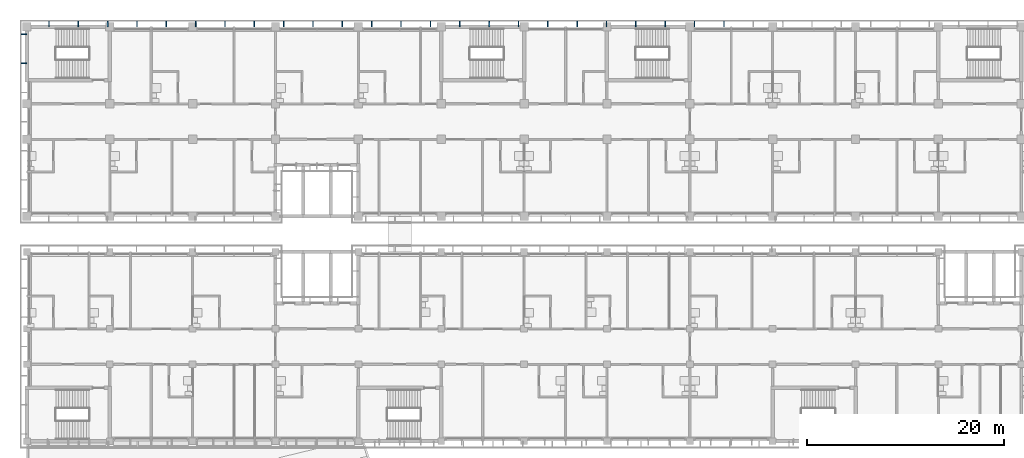
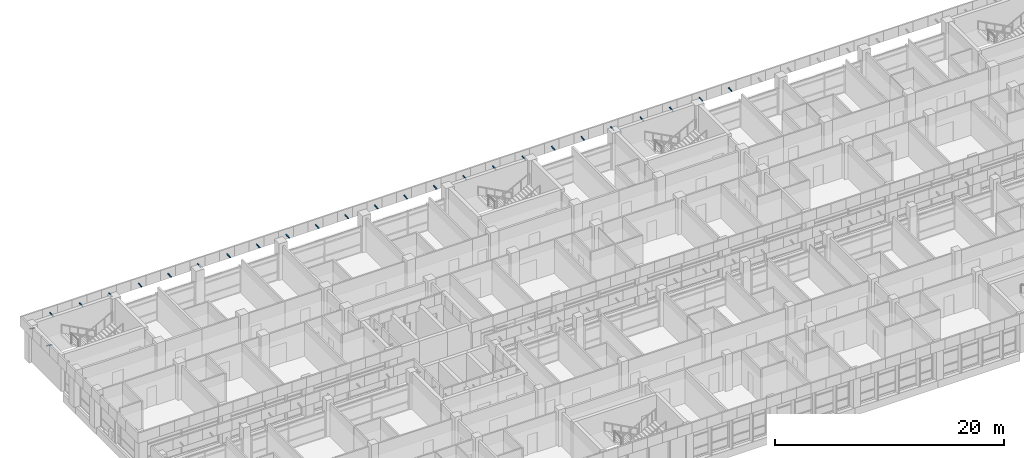
# One storey, part 60 of 74: 26 discrete accessories.
"""IFC4 building model written with IfcOpenShell, lengths in metres."""

import ifcopenshell
import ifcopenshell.guid

model = None  # the IFC model being written
_history = None  # IfcOwnerHistory: only IFC2X3 demands one
_inside = {}  # id of a spatial element -> (the spatial element, [elements in it])
_under = {}  # id of a project, library or spatial element -> (it, [spatial elements below it])
_declared = {}  # id of a project -> (the project, [libraries it declares])
_typed = {}  # id of a type object -> (the type object, [elements of that type])
_made_of = {}  # id of a material, layer set ... -> (it, [elements and type objects made of it])


def new_model(schema):
    """Start an empty IFC model of exactly this schema.

    Asked for "IFC4X3", IfcOpenShell would pick the latest addendum, in which some entities
    have other attributes; the version numbers below select the first issue.
    IFC2X3 requires an IfcOwnerHistory on every rooted entity: one is made here for all.
    """
    global model, _history
    if schema == "IFC4X3":
        model = ifcopenshell.file(schema_version=(4, 3, 0, 0))
    else:
        model = ifcopenshell.file(schema=schema)
    _inside.clear()
    _under.clear()
    _declared.clear()
    _typed.clear()
    _made_of.clear()
    _history = None
    if model.schema == "IFC2X3":
        org = make("IfcOrganization", Name="unknown")
        user = make(
            "IfcPersonAndOrganization",
            ThePerson=make("IfcPerson", FamilyName="unknown"),
            TheOrganization=org,
        )
        app = make(
            "IfcApplication",
            ApplicationDeveloper=org,
            Version="unknown",
            ApplicationFullName="unknown",
            ApplicationIdentifier="unknown",
        )
        _history = make(
            "IfcOwnerHistory",
            OwningUser=user,
            OwningApplication=app,
            ChangeAction="ADDED",
            CreationDate=0,
        )
    return model


def make(cls, **values):
    """One entity of the class cls with the attributes given. An attribute that is None is left unset."""
    return model.create_entity(
        cls, **{name: value for name, value in values.items() if value is not None}
    )


def rooted(cls, **values):
    """An entity with a GlobalId (a new one), such as an element, a storey or a relation."""
    return make(cls, GlobalId=ifcopenshell.guid.new(), OwnerHistory=_history, **values)


def si_unit(unit_type, name, prefix=None):
    """IfcSIUnit, for example si_unit("LENGTHUNIT", "METRE", prefix="MILLI")."""
    return make("IfcSIUnit", UnitType=unit_type, Prefix=prefix, Name=name)


def assignment(units):
    """IfcUnitAssignment: the units of a project."""
    return None if units is None else make("IfcUnitAssignment", Units=units)


def point(xyz):
    """IfcCartesianPoint."""
    return None if xyz is None else make("IfcCartesianPoint", Coordinates=xyz)


def direction(xyz):
    """IfcDirection."""
    return None if xyz is None else make("IfcDirection", DirectionRatios=xyz)


def frame(location, z_axis=None, x_axis=None):
    """IfcAxis2Placement3D, a coordinate frame: its origin and axes. An axis left out is left unset."""
    return make(
        "IfcAxis2Placement3D",
        Location=point(location),
        Axis=direction(z_axis),
        RefDirection=direction(x_axis),
    )


def frame_2d(location, x_axis=None):
    """IfcAxis2Placement2D, a coordinate frame in the plane: its origin and x axis."""
    return make(
        "IfcAxis2Placement2D", Location=point(location), RefDirection=direction(x_axis)
    )


def origin():
    """The frame at (0, 0, 0) with its axes left unset."""
    return frame((0.0, 0.0, 0.0))


def origin_2d():
    """The frame at (0, 0) in the plane with its x axis left unset."""
    return frame_2d((0.0, 0.0))


def place(relative_to, where):
    """IfcLocalPlacement: puts the frame where relative to a parent placement (None: the world)."""
    return make(
        "IfcLocalPlacement", PlacementRelTo=relative_to, RelativePlacement=where
    )


def context(
    kind, dimensions, precision=None, world=None, true_north=None, identifier=None
):
    """IfcGeometricRepresentationContext, for example the 3D "Model" context."""
    return make(
        "IfcGeometricRepresentationContext",
        ContextIdentifier=identifier,
        ContextType=kind,
        CoordinateSpaceDimension=dimensions,
        Precision=precision,
        WorldCoordinateSystem=world,
        TrueNorth=true_north,
    )


def subcontext(parent, identifier, kind, view, scale=None):
    """IfcGeometricRepresentationSubContext, for example "Body" below "Model"."""
    return make(
        "IfcGeometricRepresentationSubContext",
        ContextIdentifier=identifier,
        ContextType=kind,
        ParentContext=parent,
        TargetScale=scale,
        TargetView=view,
    )


def project(units=None, contexts=None):
    """IfcProject with its units and contexts."""
    return rooted(
        "IfcProject",
        Name="project",
        RepresentationContexts=contexts,
        UnitsInContext=assignment(units),
    )


def spatial(cls, under=None, at=None, **own):
    """A site, building, storey or space (cls), placed at a placement, below another one or the project."""
    s = rooted(cls, ObjectPlacement=at, **own)
    if under is not None:
        _under.setdefault(under.id(), (under, []))[1].append(s)
    return s


def profile(cls, at=None, kind="AREA", **sizes):
    """A parametric profile (cls). Its sizes go by their IFC names, for example OverallWidth=200.0."""
    return make(cls, ProfileType=kind, Position=at, **sizes)


def rectangle(**sizes):
    """IfcRectangleProfileDef."""
    return profile("IfcRectangleProfileDef", **sizes)


def extrude(swept, where, along, depth):
    """IfcExtrudedAreaSolid: the profile swept, set in the frame where, extruded along a direction by depth."""
    return make(
        "IfcExtrudedAreaSolid",
        SweptArea=swept,
        Position=where,
        ExtrudedDirection=direction(along),
        Depth=depth,
    )


def shape(context_of_items, identifier, shape_type, items):
    """IfcShapeRepresentation: the items that make up one representation, for example the "Body"."""
    return make(
        "IfcShapeRepresentation",
        ContextOfItems=context_of_items,
        RepresentationIdentifier=identifier,
        RepresentationType=shape_type,
        Items=items,
    )


def material(Name=None, Category=None):
    """IfcMaterial."""
    return make("IfcMaterial", Name=Name, Category=Category)


def material_profile(
    of_material, cross_section, Name=None, Category=None, Priority=None
):
    """IfcMaterialProfile: a cross section and its material."""
    return make(
        "IfcMaterialProfile",
        Name=Name,
        Material=of_material,
        Profile=cross_section,
        Priority=Priority,
        Category=Category,
    )


def profile_set(profiles, Name=None, composite=None):
    """IfcMaterialProfileSet."""
    return make(
        "IfcMaterialProfileSet",
        Name=Name,
        MaterialProfiles=profiles,
        CompositeProfile=composite,
    )


def made_of(thing, what):
    """Note that an element or type object is made of a material, layer set ...; save() writes the relation."""
    if what is not None:
        _made_of.setdefault(what.id(), (what, []))[1].append(thing)
    return thing


def type_object(cls, material=None, **own):
    """A type object (cls), such as IfcWallType, which elements share."""
    return made_of(rooted(cls, **own), material)


def element(
    cls,
    number,
    at=None,
    inside=None,
    cuts=None,
    type_object=None,
    material=None,
    context=None,
    identifier="Body",
    shape_type=None,
    held_by="IfcProductDefinitionShape",
    body=None,
    shapes=None,
    **own,
):
    """One element of the class cls, such as IfcWall. Its Tag is "e" and its number.

    at: its placement. inside: the storey or other place that contains it. cuts: it is an
    opening in that element (IfcRelVoidsElement). A single representation is given by context,
    identifier, shape_type and body (its items); several are given by shapes. held_by: the class
    of the entity that holds the representations. save() writes the other relations.
    """
    e = rooted(cls, Tag="e%d" % number, ObjectPlacement=at, **own)
    if body is not None:
        shapes = [shape(context, identifier, shape_type, body)]
    if shapes is not None:
        e.Representation = make(held_by, Representations=shapes)
    if inside is not None:
        _inside.setdefault(inside.id(), (inside, []))[1].append(e)
    if cuts is not None:
        rooted(
            "IfcRelVoidsElement", RelatingBuildingElement=cuts, RelatedOpeningElement=e
        )
    if type_object is not None:
        _typed.setdefault(type_object.id(), (type_object, []))[1].append(e)
    return made_of(e, material)


def aggregate(whole, parts):
    """IfcRelAggregates: a whole, such as a stair, and the parts it consists of."""
    return rooted("IfcRelAggregates", RelatingObject=whole, RelatedObjects=parts)


def save(model, path):
    """Write the relations noted so far, then the file.

    IfcRelAggregates (storeys below a building ...), IfcRelContainedInSpatialStructure (elements
    in a storey), IfcRelDefinesByType, IfcRelAssociatesMaterial and IfcRelDeclares: one each for
    every whole, place, type object, material and project.
    """
    for whole, parts in _under.values():
        aggregate(whole, parts)
    for where, things in _inside.values():
        rooted(
            "IfcRelContainedInSpatialStructure",
            RelatedElements=things,
            RelatingStructure=where,
        )
    for kind, things in _typed.values():
        rooted("IfcRelDefinesByType", RelatedObjects=things, RelatingType=kind)
    for what, things in _made_of.values():
        rooted("IfcRelAssociatesMaterial", RelatedObjects=things, RelatingMaterial=what)
    for by, libraries in _declared.values():
        rooted("IfcRelDeclares", RelatingContext=by, RelatedDefinitions=libraries)
    model.write(path)


model = new_model("IFC4")

# Units and contexts
model_context = context("Model", 3, precision=1e-05, world=origin(), true_north=direction((0.0, 1.0)))
body_context = subcontext(model_context, "Body", "Model", "MODEL_VIEW")
ifc_project = project(units=[si_unit("LENGTHUNIT", "METRE"), si_unit("AREAUNIT", "SQUARE_METRE"), si_unit("VOLUMEUNIT", "CUBIC_METRE"), si_unit("PLANEANGLEUNIT", "RADIAN"), si_unit("MASSUNIT", "GRAM", prefix="KILO")], contexts=[model_context])

# Site, building, storey
site_placement = place(None, origin())
site = spatial("IfcSite", under=ifc_project, at=site_placement, CompositionType="ELEMENT")
building_placement = place(site_placement, origin())
building = spatial("IfcBuilding", under=site, at=building_placement, Name="Bougainvillea Quay General Hospital", CompositionType="ELEMENT")
storey_placement = place(building_placement, frame((0.0, 0.0, 21.0)))
storey = spatial("IfcBuildingStorey", under=building, at=storey_placement, Name="L04", CompositionType="ELEMENT", Elevation=21.0)

# Discrete accessories
ifc_material = material(Name="Stainless steel bracket, grade 316", Category="steel")
ifc_material_profile = material_profile(ifc_material, rectangle(XDim=0.080078125, YDim=0.050048828125, at=origin_2d()))
ifc_profile_set = profile_set([ifc_material_profile], Name="Stainless steel bracket, grade 316")
discrete_accessory_type = type_object("IfcDiscreteAccessoryType", Name="Stainless steel stand-off bracket 80x50", PredefinedType="BRACKET", material=ifc_profile_set)
for number, where, z_axis, x_axis, name in (
    (1, (112.65625, 159.60009765625, 3.840087890625), (0.0, 0.994134149227, 0.108154026004), (-1.0, 0.0, 0.0), "Fascia bracket e0 49"),
    (2, (109.68115234375, 159.60009765625, 3.840087890625), (0.0, 0.994134149227, 0.108154026004), (-1.0, 0.0, 0.0), "Fascia bracket e0 51"),
    (3, (106.706298828125, 159.60009765625, 3.840087890625), (0.0, 0.994134149227, 0.108154026004), (-1.0, 0.0, 0.0), "Fascia bracket e0 53"),
    (4, (103.731201171875, 159.60009765625, 3.840087890625), (0.0, 0.994134149227, 0.108154026004), (-1.0, 0.0, 0.0), "Fascia bracket e0 55"),
    (5, (100.75634765625, 159.60009765625, 3.840087890625), (0.0, 0.994134149227, 0.108154026004), (-1.0, 0.0, 0.0), "Fascia bracket e0 57"),
    (6, (97.78125, 159.60009765625, 3.840087890625), (0.0, 0.994134149227, 0.108154026004), (-1.0, 0.0, 0.0), "Fascia bracket e0 59"),
    (7, (94.80615234375, 159.60009765625, 3.840087890625), (0.0, 0.994134149227, 0.108154026004), (-1.0, 0.0, 0.0), "Fascia bracket e0 61"),
    (8, (91.831298828125, 159.60009765625, 3.840087890625), (0.0, 0.994134149227, 0.108154026004), (-1.0, 0.0, 0.0), "Fascia bracket e0 63"),
    (9, (88.856201171875, 159.60009765625, 3.840087890625), (0.0, 0.994134149227, 0.108154026004), (-1.0, 0.0, 0.0), "Fascia bracket e0 65"),
    (10, (85.88134765625, 159.60009765625, 3.840087890625), (0.0, 0.994134149227, 0.108154026004), (-1.0, 0.0, 0.0), "Fascia bracket e0 67"),
    (11, (82.90625, 159.60009765625, 3.840087890625), (0.0, 0.994134149227, 0.108154026004), (-1.0, 0.0, 0.0), "Fascia bracket e0 69"),
    (12, (79.93115234375, 159.60009765625, 3.840087890625), (0.0, 0.994134149227, 0.108154026004), (-1.0, 0.0, 0.0), "Fascia bracket e0 71"),
    (13, (76.956298828125, 159.60009765625, 3.840087890625), (0.0, 0.994134149227, 0.108154026004), (-1.0, 0.0, 0.0), "Fascia bracket e0 73"),
    (14, (73.981201171875, 159.60009765625, 3.840087890625), (0.0, 0.994134149227, 0.108154026004), (-1.0, 0.0, 0.0), "Fascia bracket e0 75"),
    (15, (71.00634765625, 159.60009765625, 3.840087890625), (0.0, 0.994134149227, 0.108154026004), (-1.0, 0.0, 0.0), "Fascia bracket e0 77"),
    (16, (68.03125, 159.60009765625, 3.840087890625), (0.0, 0.994134149227, 0.108154026004), (-1.0, 0.0, 0.0), "Fascia bracket e0 79"),
    (17, (65.05615234375, 159.60009765625, 3.840087890625), (0.0, 0.994134149227, 0.108154026004), (-1.0, 0.0, 0.0), "Fascia bracket e0 81"),
    (18, (62.081298828125, 159.60009765625, 3.840087890625), (0.0, 0.994134149227, 0.108154026004), (-1.0, 0.0, 0.0), "Fascia bracket e0 83"),
    (19, (59.106201171875, 159.60009765625, 3.840087890625), (0.0, 0.994134149227, 0.108154026004), (-1.0, 0.0, 0.0), "Fascia bracket e0 85"),
    (20, (56.13134765625, 159.60009765625, 3.840087890625), (0.0, 0.994134149227, 0.108154026004), (-1.0, 0.0, 0.0), "Fascia bracket e0 87"),
    (21, (53.15625, 159.60009765625, 3.840087890625), (0.0, 0.994134149227, 0.108154026004), (-1.0, 0.0, 0.0), "Fascia bracket e0 89"),
    (22, (50.18115234375, 159.60009765625, 3.840087890625), (0.0, 0.994134149227, 0.108154026004), (-1.0, 0.0, 0.0), "Fascia bracket e0 91"),
    (23, (47.206298828125, 159.60009765625, 3.840087890625), (0.0, 0.994134149227, 0.108154026004), (-1.0, 0.0, 0.0), "Fascia bracket e0 93"),
    (24, (44.231201171875, 159.60009765625, 3.840087890625), (0.0, 0.994134149227, 0.108154026004), (-1.0, 0.0, 0.0), "Fascia bracket e0 95"),
):
    element("IfcDiscreteAccessory", number, at=place(storey_placement, frame(where, z_axis=z_axis, x_axis=x_axis)), inside=storey, type_object=discrete_accessory_type, Name=name, PredefinedType="BRACKET", context=body_context, shape_type="SweptSolid", body=[
        extrude(rectangle(XDim=0.080078125, YDim=0.050048828125, at=origin_2d()), origin(), (0.0, 0.0, 1.0), 0.552978515625),
    ])
for number, where, z_axis, x_axis, name in (
    (25, (42.0, 158.861572265625, 3.840087890625), (-0.994139309541, 0.0, 0.108106582706), (0.0, -1.0, 0.0), "Fascia bracket e0 97"),
    (26, (42.0, 155.90771484375, 3.840087890625), (-0.994139309541, 0.0, 0.108106582706), (0.0, -1.0, 0.0), "Fascia bracket e0 99"),
):
    element("IfcDiscreteAccessory", number, at=place(storey_placement, frame(where, z_axis=z_axis, x_axis=x_axis)), inside=storey, type_object=discrete_accessory_type, Name=name, PredefinedType="BRACKET", context=body_context, shape_type="SweptSolid", body=[
        extrude(rectangle(XDim=0.080078125, YDim=0.050048828125, at=origin_2d()), origin(), (0.0, 0.0, 1.0), 0.55322265625),
    ])

save(model, "model.ifc")
